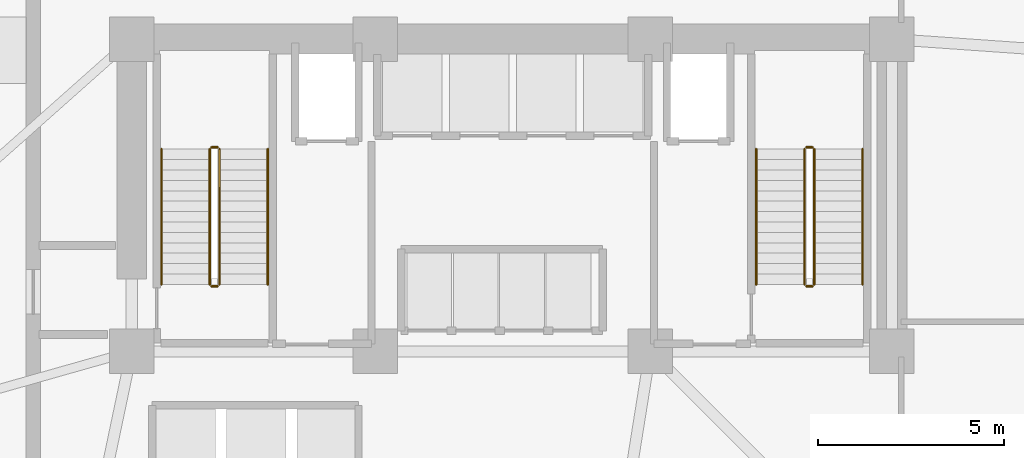
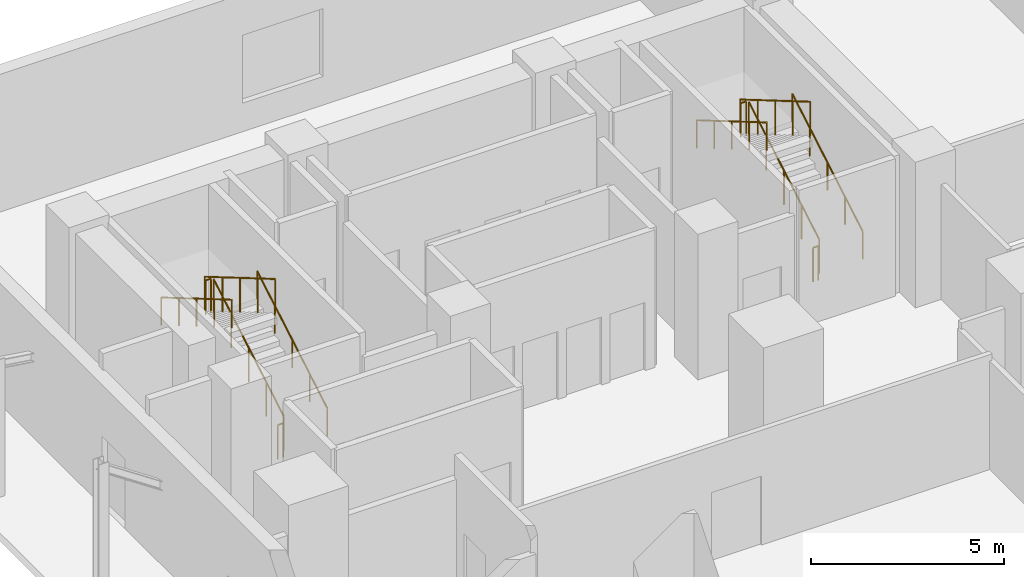
# One storey, part 12 of 14: 12 railings.
"""IFC4 building model written with IfcOpenShell, lengths in metres."""

from ifc_helpers import new_model, si_unit, direction, frame, origin, origin_2d, place, context, subcontext, project, spatial, circle, extrude, material, layer, layer_set, type_object, element, save


model = new_model("IFC4")

# Units and contexts
model_context = context("Model", 3, precision=1e-05, world=origin(), true_north=direction((0.0, 1.0)))
body_context = subcontext(model_context, "Body", "Model", "MODEL_VIEW")
ifc_project = project(units=[si_unit("LENGTHUNIT", "METRE"), si_unit("AREAUNIT", "SQUARE_METRE"), si_unit("VOLUMEUNIT", "CUBIC_METRE"), si_unit("PLANEANGLEUNIT", "RADIAN"), si_unit("MASSUNIT", "GRAM", prefix="KILO")], contexts=[model_context])

# Site, building, storey
site_placement = place(None, origin())
site = spatial("IfcSite", under=ifc_project, at=site_placement, CompositionType="ELEMENT")
building_placement = place(site_placement, origin())
building = spatial("IfcBuilding", under=site, at=building_placement, Name="Kuzgunbayir Cultural Tower", CompositionType="ELEMENT")
storey_placement = place(building_placement, origin())
storey = spatial("IfcBuildingStorey", under=building, at=storey_placement, Name="L00", CompositionType="ELEMENT", Elevation=0.0)

# Railings
ifc_material_1 = material(Name="Brushed Stainless Steel", Category="steel")
ifc_layer_1 = layer(ifc_material_1, 0.050048828125)
ifc_layer_set_1 = layer_set([ifc_layer_1], Name="Brushed Stainless Steel")
railing_type_1 = type_object("IfcRailingType", Name="RLG-STAIR-HANDRAIL", PredefinedType="HANDRAIL", material=ifc_layer_set_1)
railing_1_placement = place(storey_placement, frame((10.110107421875, 35.60009765625, 0.164306640625)))
element("IfcRailing", 1, at=railing_1_placement, inside=storey, type_object=railing_type_1, Name="L00 ST-1 stair handrail 1", PredefinedType="HANDRAIL", context=body_context, shape_type="SweptSolid", body=[
    extrude(circle(Radius=0.02392578125, at=origin_2d()), frame((0.0, 0.0, 0.8759765625), z_axis=(0.0, 0.862489892076, 0.506074289079), x_axis=(-1.0, 0.0, 0.0)), (0.0, 0.0, 1.0), 4.22021484375),
    extrude(circle(Radius=0.02099609375, at=origin_2d()), origin(), (0.0, 0.0, 1.0), 0.851806640625),
    extrude(circle(Radius=0.02099609375, at=origin_2d()), frame((0.0, 0.909912109375, 0.533935546875)), (0.0, 0.0, 1.0), 0.851806640625),
    extrude(circle(Radius=0.02099609375, at=origin_2d()), frame((0.0, 1.81982421875, 1.06787109375)), (0.0, 0.0, 1.0), 0.851806640625),
    extrude(circle(Radius=0.02099609375, at=origin_2d()), frame((0.0, 2.72998046875, 1.601806640625)), (0.0, 0.0, 1.0), 0.851806640625),
    extrude(circle(Radius=0.02099609375, at=origin_2d()), frame((0.0, 3.639892578125, 2.1357421875)), (0.0, 0.0, 1.0), 0.851806640625),
])
railing_2_placement = place(storey_placement, frame((7.25, 39.239990234375, 2.46435546875)))
element("IfcRailing", 2, at=railing_2_placement, inside=storey, type_object=railing_type_1, Name="L00 ST-1 stair handrail 2", PredefinedType="HANDRAIL", context=body_context, shape_type="SweptSolid", body=[
    extrude(circle(Radius=0.02392578125, at=origin_2d()), frame((0.0, 0.0, 0.8759765625), z_axis=(0.0, -0.862489892076, 0.506074289079), x_axis=(1.0, 0.0, 0.0)), (0.0, 0.0, 1.0), 4.22021484375),
    extrude(circle(Radius=0.02099609375, at=origin_2d()), origin(), (0.0, 0.0, 1.0), 0.851806640625),
    extrude(circle(Radius=0.02099609375, at=origin_2d()), frame((0.0, -0.909912109375, 0.533935546875)), (0.0, 0.0, 1.0), 0.851806640625),
    extrude(circle(Radius=0.02099609375, at=origin_2d()), frame((0.0, -1.81982421875, 1.06787109375)), (0.0, 0.0, 1.0), 0.851806640625),
    extrude(circle(Radius=0.02099609375, at=origin_2d()), frame((0.0, -2.72998046875, 1.601806640625)), (0.0, 0.0, 1.0), 0.851806640625),
    extrude(circle(Radius=0.02099609375, at=origin_2d()), frame((0.0, -3.639892578125, 2.1357421875)), (0.0, 0.0, 1.0), 0.851806640625),
])
railing_3_placement = place(storey_placement, frame((26.110107421875, 35.60009765625, 0.164306640625)))
element("IfcRailing", 3, at=railing_3_placement, inside=storey, type_object=railing_type_1, Name="L00 ST-2 stair handrail 1", PredefinedType="HANDRAIL", context=body_context, shape_type="SweptSolid", body=[
    extrude(circle(Radius=0.02392578125, at=origin_2d()), frame((0.0, 0.0, 0.8759765625), z_axis=(0.0, 0.862489892076, 0.506074289079), x_axis=(-1.0, 0.0, 0.0)), (0.0, 0.0, 1.0), 4.22021484375),
    extrude(circle(Radius=0.02099609375, at=origin_2d()), origin(), (0.0, 0.0, 1.0), 0.851806640625),
    extrude(circle(Radius=0.02099609375, at=origin_2d()), frame((0.0, 0.909912109375, 0.533935546875)), (0.0, 0.0, 1.0), 0.851806640625),
    extrude(circle(Radius=0.02099609375, at=origin_2d()), frame((0.0, 1.81982421875, 1.06787109375)), (0.0, 0.0, 1.0), 0.851806640625),
    extrude(circle(Radius=0.02099609375, at=origin_2d()), frame((0.0, 2.72998046875, 1.601806640625)), (0.0, 0.0, 1.0), 0.851806640625),
    extrude(circle(Radius=0.02099609375, at=origin_2d()), frame((0.0, 3.639892578125, 2.1357421875)), (0.0, 0.0, 1.0), 0.851806640625),
])
railing_4_placement = place(storey_placement, frame((23.25, 39.239990234375, 2.46435546875)))
element("IfcRailing", 4, at=railing_4_placement, inside=storey, type_object=railing_type_1, Name="L00 ST-2 stair handrail 2", PredefinedType="HANDRAIL", context=body_context, shape_type="SweptSolid", body=[
    extrude(circle(Radius=0.02392578125, at=origin_2d()), frame((0.0, 0.0, 0.8759765625), z_axis=(0.0, -0.862489892076, 0.506074289079), x_axis=(1.0, 0.0, 0.0)), (0.0, 0.0, 1.0), 4.22021484375),
    extrude(circle(Radius=0.02099609375, at=origin_2d()), origin(), (0.0, 0.0, 1.0), 0.851806640625),
    extrude(circle(Radius=0.02099609375, at=origin_2d()), frame((0.0, -0.909912109375, 0.533935546875)), (0.0, 0.0, 1.0), 0.851806640625),
    extrude(circle(Radius=0.02099609375, at=origin_2d()), frame((0.0, -1.81982421875, 1.06787109375)), (0.0, 0.0, 1.0), 0.851806640625),
    extrude(circle(Radius=0.02099609375, at=origin_2d()), frame((0.0, -2.72998046875, 1.601806640625)), (0.0, 0.0, 1.0), 0.851806640625),
    extrude(circle(Radius=0.02099609375, at=origin_2d()), frame((0.0, -3.639892578125, 2.1357421875)), (0.0, 0.0, 1.0), 0.851806640625),
])
ifc_material_2 = material(Name="Painted Steel Balustrade", Category="steel")
ifc_layer_2 = layer(ifc_material_2, 0.06005859375)
ifc_layer_set_2 = layer_set([ifc_layer_2], Name="Painted Steel Balustrade")
railing_type_2 = type_object("IfcRailingType", Name="RLG-WELL-GUARD", PredefinedType="GUARDRAIL", material=ifc_layer_set_2)
railing_5_placement = place(storey_placement, frame((8.81005859375, 35.60009765625, 0.164306640625)))
element("IfcRailing", 5, at=railing_5_placement, inside=storey, type_object=railing_type_2, Name="L00 ST-1 stair guard 1", PredefinedType="GUARDRAIL", context=body_context, shape_type="SweptSolid", body=[
    extrude(circle(Radius=0.02392578125, at=origin_2d()), frame((0.0, 0.0, 1.076171875), z_axis=(0.0, 0.862489892076, 0.506074289079), x_axis=(-1.0, 0.0, 0.0)), (0.0, 0.0, 1.0), 4.22021484375),
    extrude(circle(Radius=0.02099609375, at=origin_2d()), origin(), (0.0, 0.0, 1.0), 1.052001953125),
    extrude(circle(Radius=0.02099609375, at=origin_2d()), frame((0.0, 0.909912109375, 0.533935546875)), (0.0, 0.0, 1.0), 1.052001953125),
    extrude(circle(Radius=0.02099609375, at=origin_2d()), frame((0.0, 1.81982421875, 1.06787109375)), (0.0, 0.0, 1.0), 1.052001953125),
    extrude(circle(Radius=0.02099609375, at=origin_2d()), frame((0.0, 2.72998046875, 1.601806640625)), (0.0, 0.0, 1.0), 1.052001953125),
    extrude(circle(Radius=0.02099609375, at=origin_2d()), frame((0.0, 3.639892578125, 2.1357421875)), (0.0, 0.0, 1.0), 1.052001953125),
])
railing_6_placement = place(storey_placement, frame((8.760009765625, 39.2900390625, 2.300048828125)))
element("IfcRailing", 6, at=railing_6_placement, inside=storey, type_object=railing_type_2, Name="L00 ST-1 stair guard 2", PredefinedType="GUARDRAIL", context=body_context, shape_type="SweptSolid", body=[
    extrude(circle(Radius=0.02392578125, at=origin_2d()), frame((0.0, 0.0, 1.076171875), z_axis=(-1.0, 0.0, 0.0), x_axis=(0.0, -1.0, 0.0)), (0.0, 0.0, 1.0), 0.159912109375),
    extrude(circle(Radius=0.02099609375, at=origin_2d()), origin(), (0.0, 0.0, 1.0), 1.052001953125),
    extrude(circle(Radius=0.02099609375, at=origin_2d()), frame((-0.159912109375, 0.0, 0.0)), (0.0, 0.0, 1.0), 1.052001953125),
])
railing_7_placement = place(storey_placement, frame((8.550048828125, 39.239990234375, 2.46435546875)))
element("IfcRailing", 7, at=railing_7_placement, inside=storey, type_object=railing_type_2, Name="L00 ST-1 stair guard 3", PredefinedType="GUARDRAIL", context=body_context, shape_type="SweptSolid", body=[
    extrude(circle(Radius=0.02392578125, at=origin_2d()), frame((0.0, 0.0, 1.076171875), z_axis=(0.0, -0.862489892076, 0.506074289079), x_axis=(1.0, 0.0, 0.0)), (0.0, 0.0, 1.0), 4.22021484375),
    extrude(circle(Radius=0.02099609375, at=origin_2d()), origin(), (0.0, 0.0, 1.0), 1.052001953125),
    extrude(circle(Radius=0.02099609375, at=origin_2d()), frame((0.0, -0.909912109375, 0.533935546875)), (0.0, 0.0, 1.0), 1.052001953125),
    extrude(circle(Radius=0.02099609375, at=origin_2d()), frame((0.0, -1.81982421875, 1.06787109375)), (0.0, 0.0, 1.0), 1.052001953125),
    extrude(circle(Radius=0.02099609375, at=origin_2d()), frame((0.0, -2.72998046875, 1.601806640625)), (0.0, 0.0, 1.0), 1.052001953125),
    extrude(circle(Radius=0.02099609375, at=origin_2d()), frame((0.0, -3.639892578125, 2.1357421875)), (0.0, 0.0, 1.0), 1.052001953125),
])
railing_8_placement = place(storey_placement, frame((8.760009765625, 35.550048828125, 0.0)))
element("IfcRailing", 8, at=railing_8_placement, inside=storey, type_object=railing_type_2, Name="L00 ST-1 stair guard 4", PredefinedType="GUARDRAIL", context=body_context, shape_type="SweptSolid", body=[
    extrude(circle(Radius=0.02392578125, at=origin_2d()), frame((0.0, 0.0, 1.076171875), z_axis=(-1.0, 0.0, 0.0), x_axis=(0.0, -1.0, 0.0)), (0.0, 0.0, 1.0), 0.159912109375),
    extrude(circle(Radius=0.02099609375, at=origin_2d()), origin(), (0.0, 0.0, 1.0), 1.052001953125),
    extrude(circle(Radius=0.02099609375, at=origin_2d()), frame((-0.159912109375, 0.0, 0.0)), (0.0, 0.0, 1.0), 1.052001953125),
])
railing_9_placement = place(storey_placement, frame((24.81005859375, 35.60009765625, 0.164306640625)))
element("IfcRailing", 9, at=railing_9_placement, inside=storey, type_object=railing_type_2, Name="L00 ST-2 stair guard 1", PredefinedType="GUARDRAIL", context=body_context, shape_type="SweptSolid", body=[
    extrude(circle(Radius=0.02392578125, at=origin_2d()), frame((0.0, 0.0, 1.076171875), z_axis=(0.0, 0.862489892076, 0.506074289079), x_axis=(-1.0, 0.0, 0.0)), (0.0, 0.0, 1.0), 4.22021484375),
    extrude(circle(Radius=0.02099609375, at=origin_2d()), origin(), (0.0, 0.0, 1.0), 1.052001953125),
    extrude(circle(Radius=0.02099609375, at=origin_2d()), frame((0.0, 0.909912109375, 0.533935546875)), (0.0, 0.0, 1.0), 1.052001953125),
    extrude(circle(Radius=0.02099609375, at=origin_2d()), frame((0.0, 1.81982421875, 1.06787109375)), (0.0, 0.0, 1.0), 1.052001953125),
    extrude(circle(Radius=0.02099609375, at=origin_2d()), frame((0.0, 2.72998046875, 1.601806640625)), (0.0, 0.0, 1.0), 1.052001953125),
    extrude(circle(Radius=0.02099609375, at=origin_2d()), frame((0.0, 3.639892578125, 2.1357421875)), (0.0, 0.0, 1.0), 1.052001953125),
])
railing_10_placement = place(storey_placement, frame((24.760009765625, 39.2900390625, 2.300048828125)))
element("IfcRailing", 10, at=railing_10_placement, inside=storey, type_object=railing_type_2, Name="L00 ST-2 stair guard 2", PredefinedType="GUARDRAIL", context=body_context, shape_type="SweptSolid", body=[
    extrude(circle(Radius=0.02392578125, at=origin_2d()), frame((0.0, 0.0, 1.076171875), z_axis=(-1.0, 0.0, 0.0), x_axis=(0.0, -1.0, 0.0)), (0.0, 0.0, 1.0), 0.159912109375),
    extrude(circle(Radius=0.02099609375, at=origin_2d()), origin(), (0.0, 0.0, 1.0), 1.052001953125),
    extrude(circle(Radius=0.02099609375, at=origin_2d()), frame((-0.159912109375, 0.0, 0.0)), (0.0, 0.0, 1.0), 1.052001953125),
])
railing_11_placement = place(storey_placement, frame((24.550048828125, 39.239990234375, 2.46435546875)))
element("IfcRailing", 11, at=railing_11_placement, inside=storey, type_object=railing_type_2, Name="L00 ST-2 stair guard 3", PredefinedType="GUARDRAIL", context=body_context, shape_type="SweptSolid", body=[
    extrude(circle(Radius=0.02392578125, at=origin_2d()), frame((0.0, 0.0, 1.076171875), z_axis=(0.0, -0.862489892076, 0.506074289079), x_axis=(1.0, 0.0, 0.0)), (0.0, 0.0, 1.0), 4.22021484375),
    extrude(circle(Radius=0.02099609375, at=origin_2d()), origin(), (0.0, 0.0, 1.0), 1.052001953125),
    extrude(circle(Radius=0.02099609375, at=origin_2d()), frame((0.0, -0.909912109375, 0.533935546875)), (0.0, 0.0, 1.0), 1.052001953125),
    extrude(circle(Radius=0.02099609375, at=origin_2d()), frame((0.0, -1.81982421875, 1.06787109375)), (0.0, 0.0, 1.0), 1.052001953125),
    extrude(circle(Radius=0.02099609375, at=origin_2d()), frame((0.0, -2.72998046875, 1.601806640625)), (0.0, 0.0, 1.0), 1.052001953125),
    extrude(circle(Radius=0.02099609375, at=origin_2d()), frame((0.0, -3.639892578125, 2.1357421875)), (0.0, 0.0, 1.0), 1.052001953125),
])
railing_12_placement = place(storey_placement, frame((24.760009765625, 35.550048828125, 0.0)))
element("IfcRailing", 12, at=railing_12_placement, inside=storey, type_object=railing_type_2, Name="L00 ST-2 stair guard 4", PredefinedType="GUARDRAIL", context=body_context, shape_type="SweptSolid", body=[
    extrude(circle(Radius=0.02392578125, at=origin_2d()), frame((0.0, 0.0, 1.076171875), z_axis=(-1.0, 0.0, 0.0), x_axis=(0.0, -1.0, 0.0)), (0.0, 0.0, 1.0), 0.159912109375),
    extrude(circle(Radius=0.02099609375, at=origin_2d()), origin(), (0.0, 0.0, 1.0), 1.052001953125),
    extrude(circle(Radius=0.02099609375, at=origin_2d()), frame((-0.159912109375, 0.0, 0.0)), (0.0, 0.0, 1.0), 1.052001953125),
])

save(model, "model.ifc")
